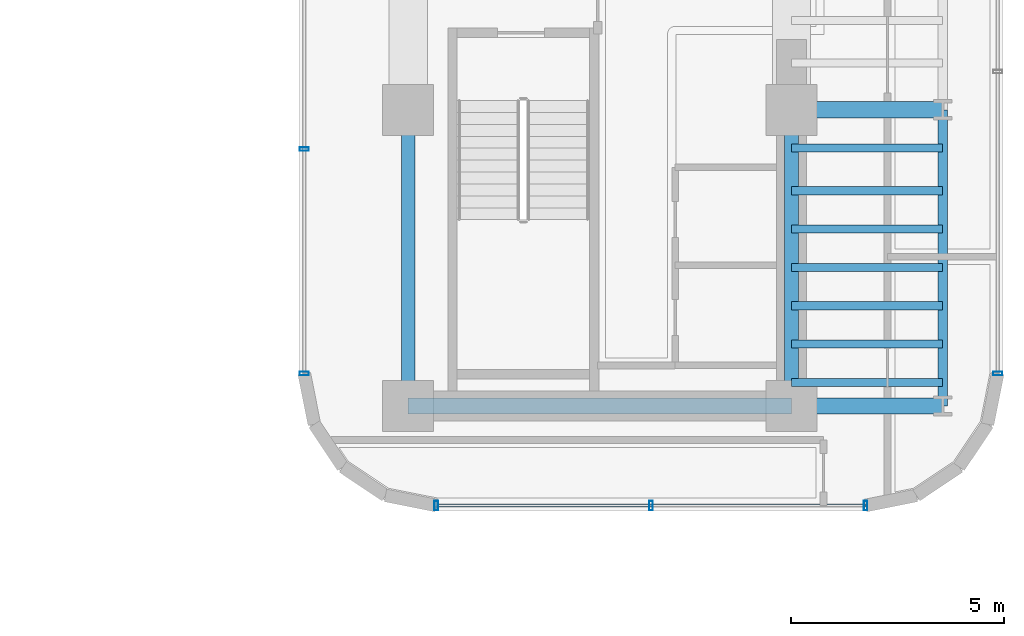
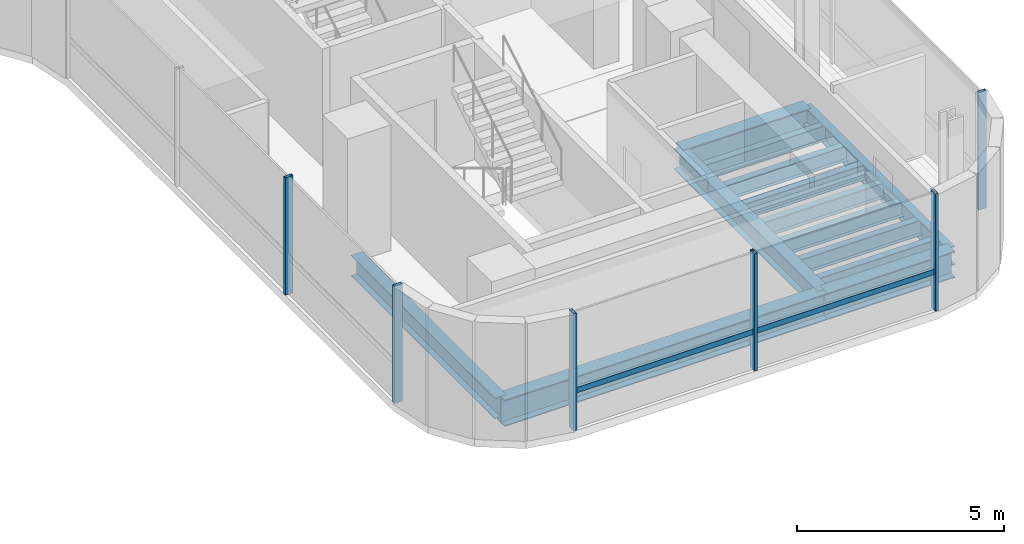
# One storey, part 11 of 36: 13 beams, 7 members, 3 elements without a shape of their own.
"""IFC4 building model written with IfcOpenShell, lengths in metres."""

from ifc_helpers import new_model, si_unit, direction, frame, origin, origin_2d, place, context, subcontext, project, spatial, hollow_rectangle, i_section, extrude, source, transform, mapped, material, material_profile, profile_set, type_object, element, aggregate, save


model = new_model("IFC4")

# Units and contexts
model_context = context("Model", 3, precision=1e-05, world=origin(), true_north=direction((0.0, 1.0)))
body_context = subcontext(model_context, "Body", "Model", "MODEL_VIEW")
ifc_project = project(units=[si_unit("LENGTHUNIT", "METRE"), si_unit("AREAUNIT", "SQUARE_METRE"), si_unit("VOLUMEUNIT", "CUBIC_METRE"), si_unit("PLANEANGLEUNIT", "RADIAN"), si_unit("MASSUNIT", "GRAM", prefix="KILO")], contexts=[model_context])

# Site, building, storey
site_placement = place(None, origin())
site = spatial("IfcSite", under=ifc_project, at=site_placement, CompositionType="ELEMENT")
building_placement = place(site_placement, origin())
building = spatial("IfcBuilding", under=site, at=building_placement, Name="Valdorenza Pilgrim Sanctuary Tower", CompositionType="ELEMENT")
storey_placement = place(building_placement, frame((0.0, 0.0, 109.39990234375)))
storey = spatial("IfcBuildingStorey", under=building, at=storey_placement, Name="L27", CompositionType="ELEMENT", Elevation=109.39990234375)

# Beams
ifc_material_1 = material(Name="Steel ASTM A992 Grade 50", Category="steel")
ifc_material_profile_1 = material_profile(ifc_material_1, i_section(OverallWidth=0.323974609375, OverallDepth=0.611083984375, WebThickness=0.0126953125, FlangeThickness=0.01904296875, at=origin_2d()), Name="W24X104")
ifc_profile_set_1 = profile_set([ifc_material_profile_1], Name="Steel ASTM A992 Grade 50")
beam_type_1 = type_object("IfcBeamType", Name="STR-BM-GRD-W24B", PredefinedType="BEAM", material=ifc_profile_set_1)
shared_shape_1 = source(origin(), body_context, "Body", "SweptSolid", [
    extrude(i_section(OverallWidth=0.323974609375, OverallDepth=0.611083984375, WebThickness=0.0126953125, FlangeThickness=0.01904296875, at=origin_2d()), origin(), (0.0, 0.0, 1.0), 6.949951171875),
])
for number, where, z_axis, x_axis, name in (
    (1, (15.85009765625, -9.550048828125, -0.54541015625), (0.0, 1.0, 0.0), (-1.0, 0.0, 0.0), "L27 Core Tie Girder CB-W-S1M0"),
    (2, (24.85009765625, -9.550048828125, -0.54541015625), (0.0, 1.0, 0.0), (-1.0, 0.0, 0.0), "L27 Core Tie Girder CB-E-S1M0"),
):
    element("IfcBeam", number, at=place(storey_placement, frame(where, z_axis=z_axis, x_axis=x_axis)), inside=storey, type_object=beam_type_1, Name=name, PredefinedType="BEAM", context=body_context, shape_type="MappedRepresentation", body=[
        mapped(shared_shape_1, transform((0.0, 0.0, 0.0), x_axis=(1.0, 0.0, 0.0), y_axis=(0.0, 1.0, 0.0), z_axis=(0.0, 0.0, 1.0), scale=1.0)),
    ])
ifc_material_profile_2 = material_profile(ifc_material_1, i_section(OverallWidth=0.214111328125, OverallDepth=0.549072265625, WebThickness=0.0146484375, FlangeThickness=0.023681640625, at=origin_2d()), Name="W21X93")
ifc_profile_set_2 = profile_set([ifc_material_profile_2], Name="Steel ASTM A992 Grade 50")
beam_type_2 = type_object("IfcBeamType", Name="STR-BM-SPN-W21A", PredefinedType="SPANDREL", material=ifc_profile_set_2)
shared_shape_2 = source(origin(), body_context, "Body", "SweptSolid", [
    extrude(i_section(OverallWidth=0.214111328125, OverallDepth=0.549072265625, WebThickness=0.0146484375, FlangeThickness=0.023681640625, at=origin_2d()), origin(), (0.0, 0.0, 1.0), 6.949951171875),
])
beam_1_placement = place(storey_placement, frame((28.39990234375, -9.550048828125, -0.514404296875), z_axis=(0.0, 1.0, 0.0), x_axis=(-1.0, 0.0, 0.0)))
element("IfcBeam", 3, at=beam_1_placement, inside=storey, type_object=beam_type_2, Name="L27 Spandrel Beam WB-E-S1M0", PredefinedType="SPANDREL", context=body_context, shape_type="MappedRepresentation", body=[
    mapped(shared_shape_2, transform((0.0, 0.0, 0.0), x_axis=(1.0, 0.0, 0.0), y_axis=(0.0, 1.0, 0.0), z_axis=(0.0, 0.0, 1.0), scale=1.0)),
])
ifc_material_profile_3 = material_profile(ifc_material_1, i_section(OverallWidth=0.382080078125, OverallDepth=0.779052734375, WebThickness=0.01806640625, FlangeThickness=0.030029296875, at=origin_2d()), Name="W30X191")
ifc_profile_set_3 = profile_set([ifc_material_profile_3], Name="Steel ASTM A992 Grade 50")
beam_type_3 = type_object("IfcBeamType", Name="STR-BM-GRD-W30", PredefinedType="BEAM", material=ifc_profile_set_3)
shared_shape_3 = source(origin(), body_context, "Body", "SweptSolid", [
    extrude(i_section(OverallWidth=0.382080078125, OverallDepth=0.779052734375, WebThickness=0.01806640625, FlangeThickness=0.030029296875, at=origin_2d()), origin(), (0.0, 0.0, 1.0), 9.0),
])
beam_2_placement = place(storey_placement, frame((15.85009765625, -9.550048828125, -0.62939453125), z_axis=(1.0, 0.0, 0.0), x_axis=(0.0, 1.0, 0.0)))
element("IfcBeam", 4, at=beam_2_placement, inside=storey, type_object=beam_type_3, Name="L27 Floor Girder CB-XC-S1", PredefinedType="BEAM", context=body_context, shape_type="MappedRepresentation", body=[
    mapped(shared_shape_3, transform((0.0, 0.0, 0.0), x_axis=(1.0, 0.0, 0.0), y_axis=(0.0, 1.0, 0.0), z_axis=(0.0, 0.0, 1.0), scale=1.0)),
])
shared_shape_4 = source(origin(), body_context, "Body", "SweptSolid", [
    extrude(i_section(OverallWidth=0.382080078125, OverallDepth=0.779052734375, WebThickness=0.01806640625, FlangeThickness=0.030029296875, at=origin_2d()), origin(), (0.0, 0.0, 1.0), 3.5498046875),
])
for number, where, z_axis, x_axis, name in (
    (5, (24.85009765625, -9.550048828125, -0.62939453125), (1.0, 0.0, 0.0), (0.0, 1.0, 0.0), "L27 Floor Girder WB-XE-S1"),
    (6, (24.85009765625, -2.60009765625, -0.62939453125), (1.0, 0.0, 0.0), (0.0, 1.0, 0.0), "L27 Floor Girder WB-XE-M0"),
):
    element("IfcBeam", number, at=place(storey_placement, frame(where, z_axis=z_axis, x_axis=x_axis)), inside=storey, type_object=beam_type_3, Name=name, PredefinedType="BEAM", context=body_context, shape_type="MappedRepresentation", body=[
        mapped(shared_shape_4, transform((0.0, 0.0, 0.0), x_axis=(1.0, 0.0, 0.0), y_axis=(0.0, 1.0, 0.0), z_axis=(0.0, 0.0, 1.0), scale=1.0)),
    ])
ifc_material_profile_4 = material_profile(ifc_material_1, i_section(OverallWidth=0.19091796875, OverallDepth=0.45703125, WebThickness=0.009033203125, FlangeThickness=0.014404296875, at=origin_2d()), Name="W18X50")
ifc_profile_set_4 = profile_set([ifc_material_profile_4], Name="Steel ASTM A992 Grade 50")
beam_type_4 = type_object("IfcBeamType", Name="STR-BM-JST-W18B", PredefinedType="JOIST", material=ifc_profile_set_4)
shared_shape_5 = source(origin(), body_context, "Body", "SweptSolid", [
    extrude(i_section(OverallWidth=0.19091796875, OverallDepth=0.45703125, WebThickness=0.009033203125, FlangeThickness=0.014404296875, at=origin_2d()), origin(), (0.0, 0.0, 1.0), 3.5498046875),
])
for number, where, z_axis, x_axis, name in (
    (7, (24.85009765625, -9.0, -0.468505859375), (1.0, 0.0, 0.0), (0.0, 1.0, 0.0), "L27 Composite Floor Joist JST-WB-1"),
    (8, (24.85009765625, -8.10009765625, -0.468505859375), (1.0, 0.0, 0.0), (0.0, 1.0, 0.0), "L27 Composite Floor Joist JST-WB-2"),
    (9, (24.85009765625, -7.199951171875, -0.468505859375), (1.0, 0.0, 0.0), (0.0, 1.0, 0.0), "L27 Composite Floor Joist JST-WB-3"),
    (10, (24.85009765625, -6.300048828125, -0.468505859375), (1.0, 0.0, 0.0), (0.0, 1.0, 0.0), "L27 Composite Floor Joist JST-WB-4"),
    (11, (24.85009765625, -5.39990234375, -0.468505859375), (1.0, 0.0, 0.0), (0.0, 1.0, 0.0), "L27 Composite Floor Joist JST-WB-5"),
    (12, (24.85009765625, -4.5, -0.468505859375), (1.0, 0.0, 0.0), (0.0, 1.0, 0.0), "L27 Composite Floor Joist JST-WB-6"),
    (13, (24.85009765625, -3.5, -0.468505859375), (1.0, 0.0, 0.0), (0.0, 1.0, 0.0), "L27 Composite Floor Joist JST-WB-7"),
):
    element("IfcBeam", number, at=place(storey_placement, frame(where, z_axis=z_axis, x_axis=x_axis)), inside=storey, type_object=beam_type_4, Name=name, PredefinedType="JOIST", context=body_context, shape_type="MappedRepresentation", body=[
        mapped(shared_shape_5, transform((0.0, 0.0, 0.0), x_axis=(1.0, 0.0, 0.0), y_axis=(0.0, 1.0, 0.0), z_axis=(0.0, 0.0, 1.0), scale=1.0)),
    ])

# Curtain wall, member
ifc_material_2 = material(Name="Curtain-wall IGU glazing", Category="glass")
curtain_wall_type = type_object("IfcCurtainWallType", Name="CW-SYS-03", PredefinedType="NOTDEFINED", material=ifc_material_2)
curtain_wall_1_placement = place(storey_placement, origin())
curtain_wall_1 = element("IfcCurtainWall", 14, at=curtain_wall_1_placement, inside=storey, type_object=curtain_wall_type, Name="L27 Curtain Wall CW-L27-1-21", PredefinedType="NOTDEFINED")
ifc_material_3 = material(Name="Anodised aluminium AW-6060", Category="aluminium")
ifc_material_profile_5 = material_profile(ifc_material_3, hollow_rectangle(XDim=0.0849609375, YDim=0.219970703125, WallThickness=0.0048828125, at=origin_2d()), Name="ALU-M 220x85x5")
ifc_profile_set_5 = profile_set([ifc_material_profile_5], Name="Anodised aluminium AW-6060")
member_type_1 = type_object("IfcMemberType", Name="CW-MUL-03", PredefinedType="MULLION", material=ifc_profile_set_5)
shared_shape_6 = source(origin(), body_context, "Body", "SweptSolid", [
    extrude(hollow_rectangle(XDim=0.0849609375, YDim=0.219970703125, WallThickness=0.0048828125, at=origin_2d()), origin(), (0.0, 0.0, 1.0), 3.460205078125),
])
member_1_placement = place(storey_placement, frame((29.68994140625, -8.789306640625, 0.0), z_axis=(0.0, 0.0, 1.0), x_axis=(0.0, -1.0, 0.0)))
member_1 = element("IfcMember", 15, at=member_1_placement, type_object=member_type_1, Name="CW-L27-1-21 Mullion 4", PredefinedType="MULLION", context=body_context, shape_type="MappedRepresentation", body=[
    mapped(shared_shape_6, transform((0.0, 0.0, 0.0), x_axis=(1.0, 0.0, 0.0), y_axis=(0.0, 1.0, 0.0), z_axis=(0.0, 0.0, 1.0), scale=1.0)),
])
aggregate(curtain_wall_1, [member_1])

# Curtain wall, members
curtain_wall_2_placement = place(storey_placement, origin())
curtain_wall_2 = element("IfcCurtainWall", 16, at=curtain_wall_2_placement, inside=storey, type_object=curtain_wall_type, Name="L27 Curtain Wall CW-L27-1-26", PredefinedType="NOTDEFINED")
member_2_placement = place(storey_placement, frame((26.589111328125, -11.889892578125, 0.0), z_axis=(0.0, 0.0, 1.0), x_axis=(-1.0, 0.0, 0.0)))
member_2 = element("IfcMember", 17, at=member_2_placement, type_object=member_type_1, Name="CW-L27-1-26 Mullion 1", PredefinedType="MULLION", context=body_context, shape_type="MappedRepresentation", body=[
    mapped(shared_shape_6, transform((0.0, 0.0, 0.0), x_axis=(1.0, 0.0, 0.0), y_axis=(0.0, 1.0, 0.0), z_axis=(0.0, 0.0, 1.0), scale=1.0)),
])
member_3_placement = place(storey_placement, frame((21.550048828125, -11.889892578125, 0.0), z_axis=(0.0, 0.0, 1.0), x_axis=(-1.0, 0.0, 0.0)))
member_3 = element("IfcMember", 18, at=member_3_placement, type_object=member_type_1, Name="CW-L27-1-26 Mullion 2", PredefinedType="MULLION", context=body_context, shape_type="MappedRepresentation", body=[
    mapped(shared_shape_6, transform((0.0, 0.0, 0.0), x_axis=(1.0, 0.0, 0.0), y_axis=(0.0, 1.0, 0.0), z_axis=(0.0, 0.0, 1.0), scale=1.0)),
])
member_4_placement = place(storey_placement, frame((16.5107421875, -11.889892578125, 0.0), z_axis=(0.0, 0.0, 1.0), x_axis=(-1.0, 0.0, 0.0)))
member_4 = element("IfcMember", 19, at=member_4_placement, type_object=member_type_1, Name="CW-L27-1-26 Mullion 3", PredefinedType="MULLION", context=body_context, shape_type="MappedRepresentation", body=[
    mapped(shared_shape_6, transform((0.0, 0.0, 0.0), x_axis=(1.0, 0.0, 0.0), y_axis=(0.0, 1.0, 0.0), z_axis=(0.0, 0.0, 1.0), scale=1.0)),
])

curtain_wall_3_placement = place(storey_placement, origin())
curtain_wall_3 = element("IfcCurtainWall", 20, at=curtain_wall_3_placement, inside=storey, type_object=curtain_wall_type, Name="L27 Curtain Wall CW-L27-1-31", PredefinedType="NOTDEFINED")
member_5_placement = place(storey_placement, frame((13.409912109375, -8.789306640625, 0.0), z_axis=(0.0, 0.0, 1.0), x_axis=(0.0, 1.0, 0.0)))
member_5 = element("IfcMember", 21, at=member_5_placement, type_object=member_type_1, Name="CW-L27-1-31 Mullion 1", PredefinedType="MULLION", context=body_context, shape_type="MappedRepresentation", body=[
    mapped(shared_shape_6, transform((0.0, 0.0, 0.0), x_axis=(1.0, 0.0, 0.0), y_axis=(0.0, 1.0, 0.0), z_axis=(0.0, 0.0, 1.0), scale=1.0)),
])
member_6_placement = place(storey_placement, frame((13.409912109375, -3.5224609375, 0.0), z_axis=(0.0, 0.0, 1.0), x_axis=(0.0, 1.0, 0.0)))
member_6 = element("IfcMember", 22, at=member_6_placement, type_object=member_type_1, Name="CW-L27-1-31 Mullion 2", PredefinedType="MULLION", context=body_context, shape_type="MappedRepresentation", body=[
    mapped(shared_shape_6, transform((0.0, 0.0, 0.0), x_axis=(1.0, 0.0, 0.0), y_axis=(0.0, 1.0, 0.0), z_axis=(0.0, 0.0, 1.0), scale=1.0)),
])
aggregate(curtain_wall_3, [member_5, member_6])

# Member
ifc_material_profile_6 = material_profile(ifc_material_3, hollow_rectangle(XDim=0.074951171875, YDim=0.159912109375, WallThickness=0.00390625, at=origin_2d()), Name="ALU-T 160x75x4")
ifc_profile_set_6 = profile_set([ifc_material_profile_6], Name="Anodised aluminium AW-6060")
member_type_2 = type_object("IfcMemberType", Name="CW-TRN-03", PredefinedType="USERDEFINED", material=ifc_profile_set_6)
shared_shape_7 = source(origin(), body_context, "Body", "SweptSolid", [
    extrude(hollow_rectangle(XDim=0.074951171875, YDim=0.159912109375, WallThickness=0.00390625, at=origin_2d()), origin(), (0.0, 0.0, 1.0), 10.078369140625),
])
member_7_placement = place(storey_placement, frame((26.589111328125, -11.889892578125, 1.1201171875), z_axis=(-1.0, 0.0, 0.0), x_axis=(0.0, -1.0, 0.0)))
member_7 = element("IfcMember", 23, at=member_7_placement, type_object=member_type_2, Name="CW-L27-1-26 Transom 1", ObjectType="TRANSOM", PredefinedType="USERDEFINED", context=body_context, shape_type="MappedRepresentation", body=[
    mapped(shared_shape_7, transform((0.0, 0.0, 0.0), x_axis=(1.0, 0.0, 0.0), y_axis=(0.0, 1.0, 0.0), z_axis=(0.0, 0.0, 1.0), scale=1.0)),
])

aggregate(curtain_wall_2, [member_2, member_3, member_4, member_7])

save(model, "model.ifc")
